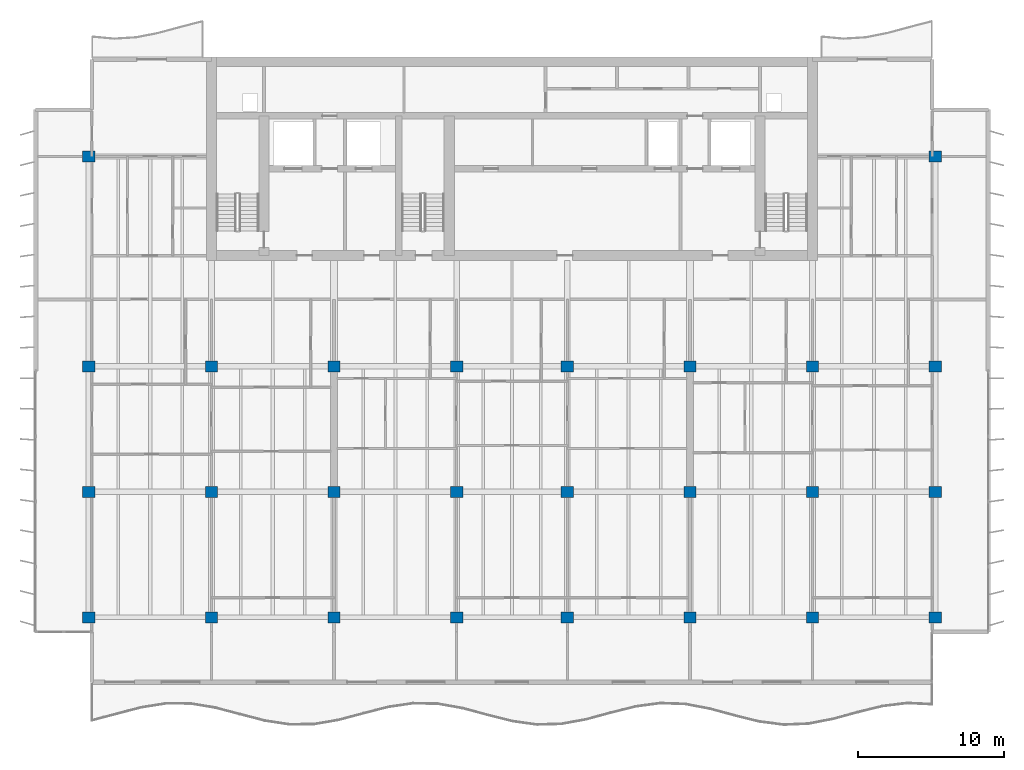
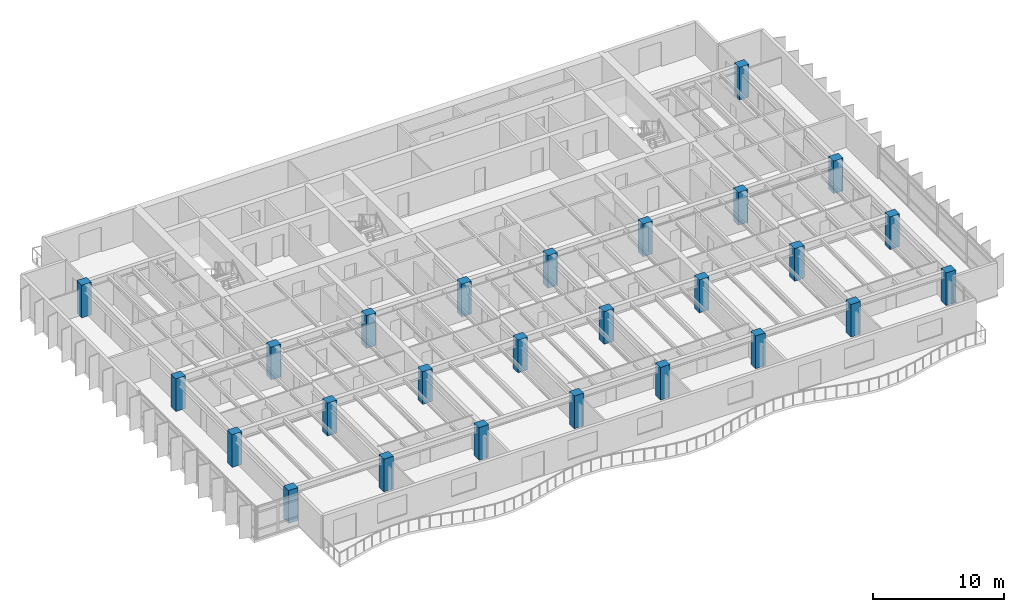
# One storey, part 1 of 17: 26 columns.
"""IFC4 building model written with IfcOpenShell, lengths in metres."""

from ifc_helpers import new_model, si_unit, direction, frame, origin, origin_2d, place, context, subcontext, project, spatial, rectangle, extrude, material, material_profile, profile_set, type_object, element, save


model = new_model("IFC4")

# Units and contexts
model_context = context("Model", 3, precision=1e-05, world=origin(), true_north=direction((0.0, 1.0)))
body_context = subcontext(model_context, "Body", "Model", "MODEL_VIEW")
ifc_project = project(units=[si_unit("LENGTHUNIT", "METRE"), si_unit("AREAUNIT", "SQUARE_METRE"), si_unit("VOLUMEUNIT", "CUBIC_METRE"), si_unit("PLANEANGLEUNIT", "RADIAN"), si_unit("MASSUNIT", "GRAM", prefix="KILO")], contexts=[model_context])

# Site, building, storey
site_placement = place(None, origin())
site = spatial("IfcSite", under=ifc_project, at=site_placement, CompositionType="ELEMENT")
building_placement = place(site_placement, origin())
building = spatial("IfcBuilding", under=site, at=building_placement, Name="Caelmar Bay Residences", CompositionType="ELEMENT")
storey_placement = place(building_placement, frame((0.0, 0.0, 204.89990234375)))
storey = spatial("IfcBuildingStorey", under=building, at=storey_placement, Name="L57", CompositionType="ELEMENT", Elevation=204.89990234375)

# Columns
ifc_material = material(Name="Concrete f'c 55 MPa (8,000 psi)", Category="concrete")
ifc_material_profile = material_profile(ifc_material, rectangle(XDim=0.85009765625, YDim=0.75, at=origin_2d()), Name="RC-COL-850X750")
ifc_profile_set = profile_set([ifc_material_profile], Name="Concrete f'c 55 MPa (8,000 psi)")
column_type = type_object("IfcColumnType", Name="COL-RC-850X750", PredefinedType="COLUMN", material=ifc_profile_set)
for number, where, z_axis, x_axis, name in (
    (1, (9.89990234375, 12.199951171875, 0.0), (0.0, 0.0, 1.0), (1.0, 0.0, 0.0), "L57 Column (9.90,12.20)"),
    (2, (18.300048828125, 12.199951171875, 0.0), (0.0, 0.0, 1.0), (1.0, 0.0, 0.0), "L57 Column (18.30,12.20)"),
    (3, (26.699951171875, 12.199951171875, 0.0), (0.0, 0.0, 1.0), (1.0, 0.0, 0.0), "L57 Column (26.70,12.20)"),
    (4, (35.10009765625, 12.199951171875, 0.0), (0.0, 0.0, 1.0), (1.0, 0.0, 0.0), "L57 Column (35.10,12.20)"),
    (5, (42.699951171875, 12.199951171875, 0.0), (0.0, 0.0, 1.0), (1.0, 0.0, 0.0), "L57 Column (42.70,12.20)"),
    (6, (51.10009765625, 12.199951171875, 0.0), (0.0, 0.0, 1.0), (1.0, 0.0, 0.0), "L57 Column (51.10,12.20)"),
    (7, (59.5, 12.199951171875, 0.0), (0.0, 0.0, 1.0), (1.0, 0.0, 0.0), "L57 Column (59.50,12.20)"),
    (8, (67.89990234375, 12.199951171875, 0.0), (0.0, 0.0, 1.0), (1.0, 0.0, 0.0), "L57 Column (67.90,12.20)"),
    (9, (9.89990234375, 20.800048828125, 0.0), (0.0, 0.0, 1.0), (1.0, 0.0, 0.0), "L57 Column (9.90,20.80)"),
    (10, (18.300048828125, 20.800048828125, 0.0), (0.0, 0.0, 1.0), (1.0, 0.0, 0.0), "L57 Column (18.30,20.80)"),
    (11, (26.699951171875, 20.800048828125, 0.0), (0.0, 0.0, 1.0), (1.0, 0.0, 0.0), "L57 Column (26.70,20.80)"),
    (12, (35.10009765625, 20.800048828125, 0.0), (0.0, 0.0, 1.0), (1.0, 0.0, 0.0), "L57 Column (35.10,20.80)"),
    (13, (42.699951171875, 20.800048828125, 0.0), (0.0, 0.0, 1.0), (1.0, 0.0, 0.0), "L57 Column (42.70,20.80)"),
    (14, (51.10009765625, 20.800048828125, 0.0), (0.0, 0.0, 1.0), (1.0, 0.0, 0.0), "L57 Column (51.10,20.80)"),
    (15, (59.5, 20.800048828125, 0.0), (0.0, 0.0, 1.0), (1.0, 0.0, 0.0), "L57 Column (59.50,20.80)"),
    (16, (67.89990234375, 20.800048828125, 0.0), (0.0, 0.0, 1.0), (1.0, 0.0, 0.0), "L57 Column (67.90,20.80)"),
    (17, (9.89990234375, 29.39990234375, 0.0), (0.0, 0.0, 1.0), (1.0, 0.0, 0.0), "L57 Column (9.90,29.40)"),
    (18, (18.300048828125, 29.39990234375, 0.0), (0.0, 0.0, 1.0), (1.0, 0.0, 0.0), "L57 Column (18.30,29.40)"),
    (19, (26.699951171875, 29.39990234375, 0.0), (0.0, 0.0, 1.0), (1.0, 0.0, 0.0), "L57 Column (26.70,29.40)"),
    (20, (35.10009765625, 29.39990234375, 0.0), (0.0, 0.0, 1.0), (1.0, 0.0, 0.0), "L57 Column (35.10,29.40)"),
    (21, (42.699951171875, 29.39990234375, 0.0), (0.0, 0.0, 1.0), (1.0, 0.0, 0.0), "L57 Column (42.70,29.40)"),
    (22, (51.10009765625, 29.39990234375, 0.0), (0.0, 0.0, 1.0), (1.0, 0.0, 0.0), "L57 Column (51.10,29.40)"),
    (23, (59.5, 29.39990234375, 0.0), (0.0, 0.0, 1.0), (1.0, 0.0, 0.0), "L57 Column (59.50,29.40)"),
    (24, (67.89990234375, 29.39990234375, 0.0), (0.0, 0.0, 1.0), (1.0, 0.0, 0.0), "L57 Column (67.90,29.40)"),
    (25, (9.89990234375, 43.800048828125, 0.0), (0.0, 0.0, 1.0), (1.0, 0.0, 0.0), "L57 Column (9.90,43.80)"),
    (26, (67.89990234375, 43.800048828125, 0.0), (0.0, 0.0, 1.0), (1.0, 0.0, 0.0), "L57 Column (67.90,43.80)"),
):
    element("IfcColumn", number, at=place(storey_placement, frame(where, z_axis=z_axis, x_axis=x_axis)), inside=storey, type_object=column_type, Name=name, PredefinedType="COLUMN", context=body_context, shape_type="SweptSolid", body=[
        extrude(rectangle(XDim=0.85009765625, YDim=0.75, at=origin_2d()), origin(), (0.0, 0.0, 1.0), 3.050048828125),
    ])

save(model, "model.ifc")
